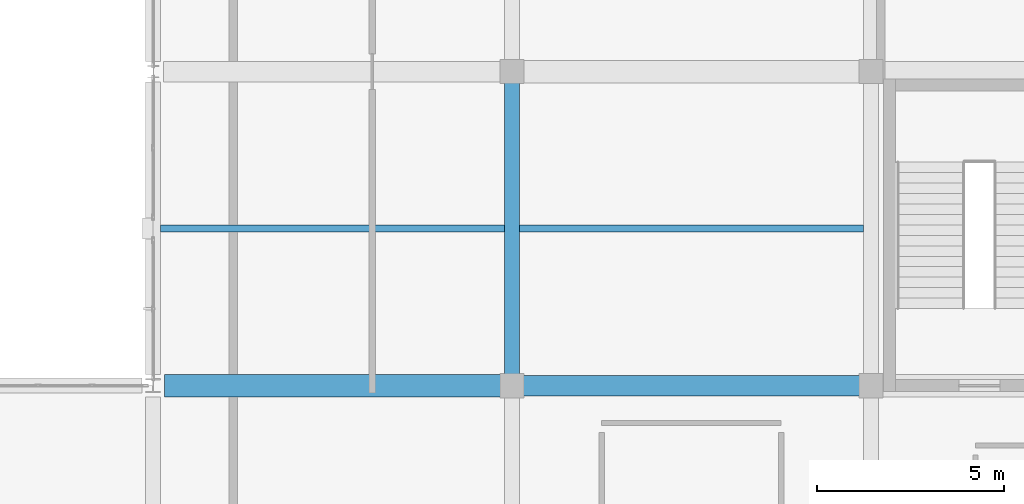
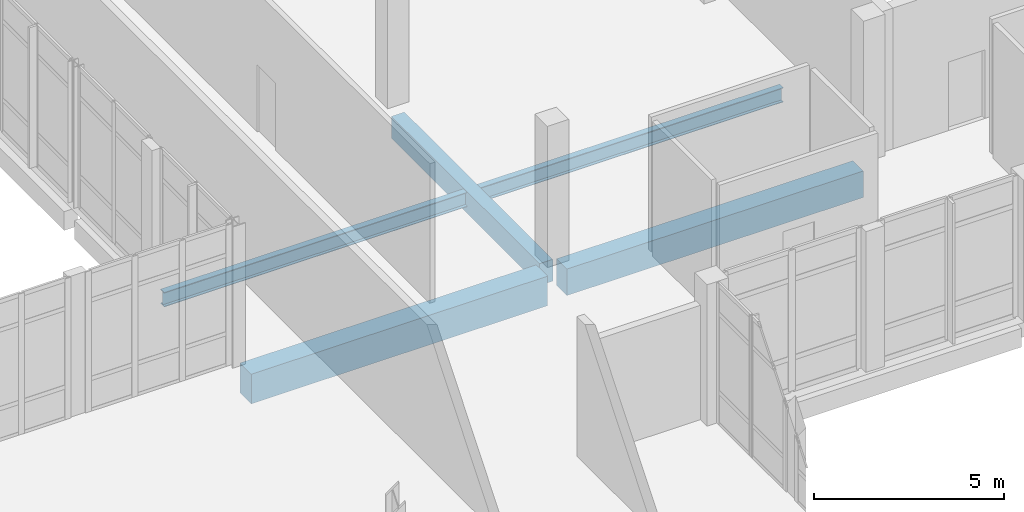
# One storey, part 25 of 102: 5 beams.
"""IFC4 building model written with IfcOpenShell, lengths in metres."""

from ifc_helpers import new_model, si_unit, direction, frame, origin, origin_2d, place, context, subcontext, project, spatial, rectangle, i_section, extrude, material, material_profile, profile_set, type_object, element, save


model = new_model("IFC4")

# Units and contexts
model_context = context("Model", 3, precision=1e-05, world=origin(), true_north=direction((0.0, 1.0)))
body_context = subcontext(model_context, "Body", "Model", "MODEL_VIEW")
ifc_project = project(units=[si_unit("LENGTHUNIT", "METRE"), si_unit("AREAUNIT", "SQUARE_METRE"), si_unit("VOLUMEUNIT", "CUBIC_METRE"), si_unit("PLANEANGLEUNIT", "RADIAN"), si_unit("MASSUNIT", "GRAM", prefix="KILO")], contexts=[model_context])

# Site, building, storey
site_placement = place(None, origin())
site = spatial("IfcSite", under=ifc_project, at=site_placement, CompositionType="ELEMENT")
building_placement = place(site_placement, origin())
building = spatial("IfcBuilding", under=site, at=building_placement, Name="Lornevale Opera House", CompositionType="ELEMENT")
storey_placement = place(building_placement, frame((0.0, 0.0, 5.39990234375)))
storey = spatial("IfcBuildingStorey", under=building, at=storey_placement, Name="L02", CompositionType="ELEMENT", Elevation=5.39990234375)

# Beams
ifc_material_1 = material(Name="Concrete 35 MPa (CSA A23.1 N)", Category="concrete")
ifc_material_profile_1 = material_profile(ifc_material_1, rectangle(XDim=0.39990234375, YDim=0.699951171875, at=origin_2d()), Name="RC400x700")
ifc_profile_set_1 = profile_set([ifc_material_profile_1], Name="Concrete 35 MPa (CSA A23.1 N)")
beam_type_1 = type_object("IfcBeamType", Name="Concrete Floor Beam 400x700", PredefinedType="USERDEFINED", material=ifc_profile_set_1)
beam_1_placement = place(storey_placement, frame((38.39990234375, 25.5, -0.64990234375), z_axis=(0.0, 1.0, 0.0), x_axis=(-1.0, 0.0, 0.0)))
element("IfcBeam", 1, at=beam_1_placement, inside=storey, type_object=beam_type_1, Name="Concrete Floor Beam 400x700 1860", ObjectType="GIRDER", PredefinedType="USERDEFINED", context=body_context, shape_type="SweptSolid", body=[
    extrude(rectangle(XDim=0.39990234375, YDim=0.699951171875, at=origin_2d()), origin(), (0.0, 0.0, 1.0), 7.800048828125),
])
ifc_material_profile_2 = material_profile(ifc_material_1, rectangle(XDim=0.550048828125, YDim=0.85009765625, at=origin_2d()), Name="RC550x850")
ifc_profile_set_2 = profile_set([ifc_material_profile_2], Name="Concrete 35 MPa (CSA A23.1 N)")
beam_type_2 = type_object("IfcBeamType", Name="Concrete Primary Girder 550x850", PredefinedType="USERDEFINED", material=ifc_profile_set_2)
beam_2_placement = place(storey_placement, frame((38.699951171875, 25.199951171875, -0.724853515625), z_axis=(1.0, 0.0, 0.0), x_axis=(0.0, 1.0, 0.0)))
element("IfcBeam", 2, at=beam_2_placement, inside=storey, type_object=beam_type_2, Name="Concrete Primary Girder 550x850 1699", ObjectType="GIRDER", PredefinedType="USERDEFINED", context=body_context, shape_type="SweptSolid", body=[
    extrude(rectangle(XDim=0.550048828125, YDim=0.85009765625, at=origin_2d()), origin(), (0.0, 0.0, 1.0), 9.0),
])
ifc_material_profile_3 = material_profile(ifc_material_1, rectangle(XDim=0.60009765625, YDim=0.949951171875, at=origin_2d()), Name="RC600x950")
ifc_profile_set_3 = profile_set([ifc_material_profile_3], Name="Concrete 35 MPa (CSA A23.1 N)")
beam_type_3 = type_object("IfcBeamType", Name="Concrete Primary Girder 600x950", PredefinedType="USERDEFINED", material=ifc_profile_set_3)
beam_3_placement = place(storey_placement, frame((29.10009765625, 25.199951171875, -0.77490234375), z_axis=(1.0, 0.0, 0.0), x_axis=(0.0, 1.0, 0.0)))
element("IfcBeam", 3, at=beam_3_placement, inside=storey, type_object=beam_type_3, Name="Concrete Primary Girder 600x950 1698", ObjectType="GIRDER", PredefinedType="USERDEFINED", context=body_context, shape_type="SweptSolid", body=[
    extrude(rectangle(XDim=0.60009765625, YDim=0.949951171875, at=origin_2d()), origin(), (0.0, 0.0, 1.0), 9.0),
])
ifc_material_2 = material(Name="Structural Steel CSA G40.21 Grade 350W (350 MPa)", Category="steel")
ifc_material_profile_4 = material_profile(ifc_material_2, i_section(OverallWidth=0.19189453125, OverallDepth=0.462890625, WebThickness=0.010498046875, FlangeThickness=0.017578125, at=origin_2d()), Name="W460x89")
ifc_profile_set_4 = profile_set([ifc_material_profile_4], Name="Structural Steel CSA G40.21 Grade 350W (350 MPa)")
beam_type_4 = type_object("IfcBeamType", Name="Steel Floor Joist W460x89", PredefinedType="JOIST", material=ifc_profile_set_4)
for number, where, z_axis, x_axis, name in (
    (4, (29.0, 29.39990234375, -0.54638671875), (1.0, 0.0, 0.0), (0.0, 1.0, 0.0), "Steel Floor Joist W460x89 1993"),
    (5, (38.60009765625, 29.39990234375, -0.54638671875), (1.0, 0.0, 0.0), (0.0, 1.0, 0.0), "Steel Floor Joist W460x89 2003"),
):
    element("IfcBeam", number, at=place(storey_placement, frame(where, z_axis=z_axis, x_axis=x_axis)), inside=storey, type_object=beam_type_4, Name=name, PredefinedType="JOIST", context=body_context, shape_type="SweptSolid", body=[
        extrude(i_section(OverallWidth=0.19189453125, OverallDepth=0.462890625, WebThickness=0.010498046875, FlangeThickness=0.017578125, at=origin_2d()), origin(), (0.0, 0.0, 1.0), 9.199951171875),
    ])

save(model, "model.ifc")
